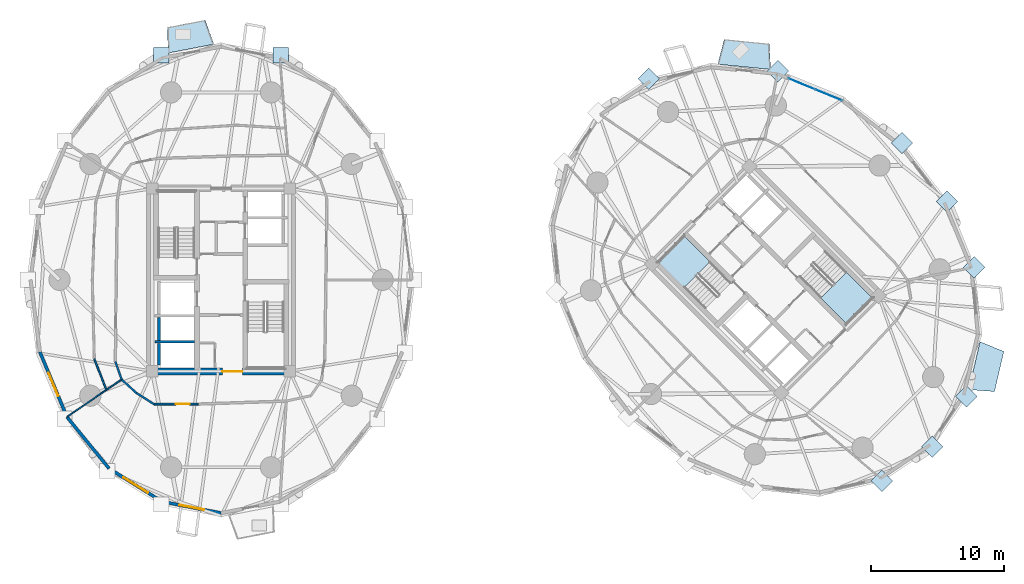
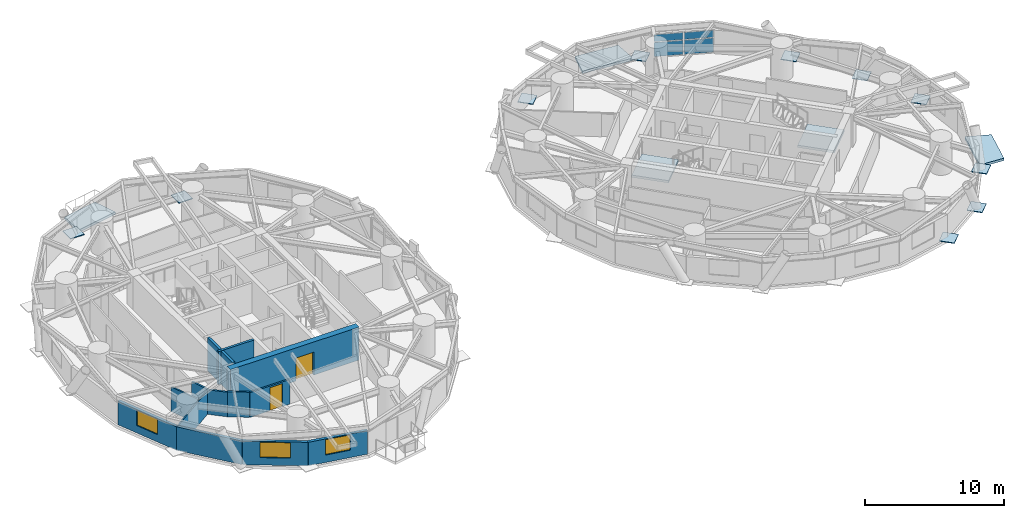
# One storey, part 9 of 18: 14 plates, 14 walls, 5 slabs, 3 windows, 2 doors, 5 openings, 3 elements without a shape of their own.
"""IFC4 building model written with IfcOpenShell, lengths in metres."""

import ifcopenshell
import ifcopenshell.guid

model = None  # the IFC model being written
_history = None  # IfcOwnerHistory: only IFC2X3 demands one
_inside = {}  # id of a spatial element -> (the spatial element, [elements in it])
_under = {}  # id of a project, library or spatial element -> (it, [spatial elements below it])
_declared = {}  # id of a project -> (the project, [libraries it declares])
_typed = {}  # id of a type object -> (the type object, [elements of that type])
_made_of = {}  # id of a material, layer set ... -> (it, [elements and type objects made of it])


def new_model(schema):
    """Start an empty IFC model of exactly this schema.

    Asked for "IFC4X3", IfcOpenShell would pick the latest addendum, in which some entities
    have other attributes; the version numbers below select the first issue.
    IFC2X3 requires an IfcOwnerHistory on every rooted entity: one is made here for all.
    """
    global model, _history
    if schema == "IFC4X3":
        model = ifcopenshell.file(schema_version=(4, 3, 0, 0))
    else:
        model = ifcopenshell.file(schema=schema)
    _inside.clear()
    _under.clear()
    _declared.clear()
    _typed.clear()
    _made_of.clear()
    _history = None
    if model.schema == "IFC2X3":
        org = make("IfcOrganization", Name="unknown")
        user = make(
            "IfcPersonAndOrganization",
            ThePerson=make("IfcPerson", FamilyName="unknown"),
            TheOrganization=org,
        )
        app = make(
            "IfcApplication",
            ApplicationDeveloper=org,
            Version="unknown",
            ApplicationFullName="unknown",
            ApplicationIdentifier="unknown",
        )
        _history = make(
            "IfcOwnerHistory",
            OwningUser=user,
            OwningApplication=app,
            ChangeAction="ADDED",
            CreationDate=0,
        )
    return model


def make(cls, **values):
    """One entity of the class cls with the attributes given. An attribute that is None is left unset."""
    return model.create_entity(
        cls, **{name: value for name, value in values.items() if value is not None}
    )


def rooted(cls, **values):
    """An entity with a GlobalId (a new one), such as an element, a storey or a relation."""
    return make(cls, GlobalId=ifcopenshell.guid.new(), OwnerHistory=_history, **values)


def si_unit(unit_type, name, prefix=None):
    """IfcSIUnit, for example si_unit("LENGTHUNIT", "METRE", prefix="MILLI")."""
    return make("IfcSIUnit", UnitType=unit_type, Prefix=prefix, Name=name)


def assignment(units):
    """IfcUnitAssignment: the units of a project."""
    return None if units is None else make("IfcUnitAssignment", Units=units)


def point(xyz):
    """IfcCartesianPoint."""
    return None if xyz is None else make("IfcCartesianPoint", Coordinates=xyz)


def direction(xyz):
    """IfcDirection."""
    return None if xyz is None else make("IfcDirection", DirectionRatios=xyz)


def frame(location, z_axis=None, x_axis=None):
    """IfcAxis2Placement3D, a coordinate frame: its origin and axes. An axis left out is left unset."""
    return make(
        "IfcAxis2Placement3D",
        Location=point(location),
        Axis=direction(z_axis),
        RefDirection=direction(x_axis),
    )


def frame_2d(location, x_axis=None):
    """IfcAxis2Placement2D, a coordinate frame in the plane: its origin and x axis."""
    return make(
        "IfcAxis2Placement2D", Location=point(location), RefDirection=direction(x_axis)
    )


def origin():
    """The frame at (0, 0, 0) with its axes left unset."""
    return frame((0.0, 0.0, 0.0))


def origin_2d():
    """The frame at (0, 0) in the plane with its x axis left unset."""
    return frame_2d((0.0, 0.0))


def place(relative_to, where):
    """IfcLocalPlacement: puts the frame where relative to a parent placement (None: the world)."""
    return make(
        "IfcLocalPlacement", PlacementRelTo=relative_to, RelativePlacement=where
    )


def context(
    kind, dimensions, precision=None, world=None, true_north=None, identifier=None
):
    """IfcGeometricRepresentationContext, for example the 3D "Model" context."""
    return make(
        "IfcGeometricRepresentationContext",
        ContextIdentifier=identifier,
        ContextType=kind,
        CoordinateSpaceDimension=dimensions,
        Precision=precision,
        WorldCoordinateSystem=world,
        TrueNorth=true_north,
    )


def subcontext(parent, identifier, kind, view, scale=None):
    """IfcGeometricRepresentationSubContext, for example "Body" below "Model"."""
    return make(
        "IfcGeometricRepresentationSubContext",
        ContextIdentifier=identifier,
        ContextType=kind,
        ParentContext=parent,
        TargetScale=scale,
        TargetView=view,
    )


def project(units=None, contexts=None):
    """IfcProject with its units and contexts."""
    return rooted(
        "IfcProject",
        Name="project",
        RepresentationContexts=contexts,
        UnitsInContext=assignment(units),
    )


def spatial(cls, under=None, at=None, **own):
    """A site, building, storey or space (cls), placed at a placement, below another one or the project."""
    s = rooted(cls, ObjectPlacement=at, **own)
    if under is not None:
        _under.setdefault(under.id(), (under, []))[1].append(s)
    return s


def polyline(points):
    """IfcPolyline through the points."""
    return make("IfcPolyline", Points=[point(p) for p in points])


def profile(cls, at=None, kind="AREA", **sizes):
    """A parametric profile (cls). Its sizes go by their IFC names, for example OverallWidth=200.0."""
    return make(cls, ProfileType=kind, Position=at, **sizes)


def rectangle(**sizes):
    """IfcRectangleProfileDef."""
    return profile("IfcRectangleProfileDef", **sizes)


def outline(outer, holes=None, kind="AREA"):
    """IfcArbitraryClosedProfileDef: a profile drawn as a closed curve; with holes, ...WithVoids."""
    if holes is None:
        return make("IfcArbitraryClosedProfileDef", ProfileType=kind, OuterCurve=outer)
    return make(
        "IfcArbitraryProfileDefWithVoids",
        ProfileType=kind,
        OuterCurve=outer,
        InnerCurves=holes,
    )


def extrude(swept, where, along, depth):
    """IfcExtrudedAreaSolid: the profile swept, set in the frame where, extruded along a direction by depth."""
    return make(
        "IfcExtrudedAreaSolid",
        SweptArea=swept,
        Position=where,
        ExtrudedDirection=direction(along),
        Depth=depth,
    )


def shape(context_of_items, identifier, shape_type, items):
    """IfcShapeRepresentation: the items that make up one representation, for example the "Body"."""
    return make(
        "IfcShapeRepresentation",
        ContextOfItems=context_of_items,
        RepresentationIdentifier=identifier,
        RepresentationType=shape_type,
        Items=items,
    )


def source(mapping_origin, context_of_items, identifier, shape_type, items):
    """IfcRepresentationMap: a shape defined once, which mapped items show again and again."""
    return make(
        "IfcRepresentationMap",
        MappingOrigin=mapping_origin,
        MappedRepresentation=shape(context_of_items, identifier, shape_type, items),
    )


def transform(
    local_origin,
    x_axis=None,
    y_axis=None,
    z_axis=None,
    scale=None,
    scale2=None,
    scale3=None,
    uniform=True,
):
    """IfcCartesianTransformationOperator3D, or its non-uniform kind. x_axis, y_axis, z_axis: its Axis1, 2, 3."""
    if uniform:
        return make(
            "IfcCartesianTransformationOperator3D",
            Axis1=direction(x_axis),
            Axis2=direction(y_axis),
            LocalOrigin=point(local_origin),
            Scale=scale,
            Axis3=direction(z_axis),
        )
    return make(
        "IfcCartesianTransformationOperator3DnonUniform",
        Axis1=direction(x_axis),
        Axis2=direction(y_axis),
        LocalOrigin=point(local_origin),
        Scale=scale,
        Axis3=direction(z_axis),
        Scale2=scale2,
        Scale3=scale3,
    )


def mapped(mapping_source, mapping_target):
    """IfcMappedItem: shows the shape of a source again, moved by a transform."""
    return make(
        "IfcMappedItem", MappingSource=mapping_source, MappingTarget=mapping_target
    )


def material(Name=None, Category=None):
    """IfcMaterial."""
    return make("IfcMaterial", Name=Name, Category=Category)


def layer(
    of_material, thickness, ventilated=None, Name=None, Category=None, Priority=None
):
    """IfcMaterialLayer: one layer of a wall or slab, of a material (None: an air gap)."""
    return make(
        "IfcMaterialLayer",
        Material=of_material,
        LayerThickness=thickness,
        IsVentilated=ventilated,
        Name=Name,
        Category=Category,
        Priority=Priority,
    )


def layer_set(layers, Name=None):
    """IfcMaterialLayerSet."""
    return make("IfcMaterialLayerSet", MaterialLayers=layers, LayerSetName=Name)


def made_of(thing, what):
    """Note that an element or type object is made of a material, layer set ...; save() writes the relation."""
    if what is not None:
        _made_of.setdefault(what.id(), (what, []))[1].append(thing)
    return thing


def type_object(cls, material=None, **own):
    """A type object (cls), such as IfcWallType, which elements share."""
    return made_of(rooted(cls, **own), material)


def element(
    cls,
    number,
    at=None,
    inside=None,
    cuts=None,
    type_object=None,
    material=None,
    context=None,
    identifier="Body",
    shape_type=None,
    held_by="IfcProductDefinitionShape",
    body=None,
    shapes=None,
    **own,
):
    """One element of the class cls, such as IfcWall. Its Tag is "e" and its number.

    at: its placement. inside: the storey or other place that contains it. cuts: it is an
    opening in that element (IfcRelVoidsElement). A single representation is given by context,
    identifier, shape_type and body (its items); several are given by shapes. held_by: the class
    of the entity that holds the representations. save() writes the other relations.
    """
    e = rooted(cls, Tag="e%d" % number, ObjectPlacement=at, **own)
    if body is not None:
        shapes = [shape(context, identifier, shape_type, body)]
    if shapes is not None:
        e.Representation = make(held_by, Representations=shapes)
    if inside is not None:
        _inside.setdefault(inside.id(), (inside, []))[1].append(e)
    if cuts is not None:
        rooted(
            "IfcRelVoidsElement", RelatingBuildingElement=cuts, RelatedOpeningElement=e
        )
    if type_object is not None:
        _typed.setdefault(type_object.id(), (type_object, []))[1].append(e)
    return made_of(e, material)


def fill(opening, filler):
    """IfcRelFillsElement: the door or window that sits in an opening."""
    return rooted(
        "IfcRelFillsElement",
        RelatingOpeningElement=opening,
        RelatedBuildingElement=filler,
    )


def aggregate(whole, parts):
    """IfcRelAggregates: a whole, such as a stair, and the parts it consists of."""
    return rooted("IfcRelAggregates", RelatingObject=whole, RelatedObjects=parts)


def save(model, path):
    """Write the relations noted so far, then the file.

    IfcRelAggregates (storeys below a building ...), IfcRelContainedInSpatialStructure (elements
    in a storey), IfcRelDefinesByType, IfcRelAssociatesMaterial and IfcRelDeclares: one each for
    every whole, place, type object, material and project.
    """
    for whole, parts in _under.values():
        aggregate(whole, parts)
    for where, things in _inside.values():
        rooted(
            "IfcRelContainedInSpatialStructure",
            RelatedElements=things,
            RelatingStructure=where,
        )
    for kind, things in _typed.values():
        rooted("IfcRelDefinesByType", RelatedObjects=things, RelatingType=kind)
    for what, things in _made_of.values():
        rooted("IfcRelAssociatesMaterial", RelatedObjects=things, RelatingMaterial=what)
    for by, libraries in _declared.values():
        rooted("IfcRelDeclares", RelatingContext=by, RelatedDefinitions=libraries)
    model.write(path)


model = new_model("IFC4")

# Units and contexts
model_context = context("Model", 3, precision=1e-05, world=origin(), true_north=direction((0.0, 1.0)))
body_context = subcontext(model_context, "Body", "Model", "MODEL_VIEW")
ifc_project = project(units=[si_unit("LENGTHUNIT", "METRE"), si_unit("AREAUNIT", "SQUARE_METRE"), si_unit("VOLUMEUNIT", "CUBIC_METRE"), si_unit("PLANEANGLEUNIT", "RADIAN"), si_unit("MASSUNIT", "GRAM", prefix="KILO")], contexts=[model_context])

# Site, building, storey
site_placement = place(None, origin())
site = spatial("IfcSite", under=ifc_project, at=site_placement, CompositionType="ELEMENT")
building_placement = place(site_placement, origin())
building = spatial("IfcBuilding", under=site, at=building_placement, Name="Cununo Teusaquillo Station Towers", CompositionType="ELEMENT")
storey_placement = place(building_placement, frame((0.0, 0.0, 22.0)))
storey = spatial("IfcBuildingStorey", under=building, at=storey_placement, Name="L05", CompositionType="ELEMENT", Elevation=22.0)

# Slabs
ifc_material_1 = material(Name="Concrete C50/60", Category="concrete")
ifc_layer_1 = layer(ifc_material_1, 0.2099609375)
ifc_layer_set_1 = layer_set([ifc_layer_1], Name="Concrete C50/60")
slab_type_1 = type_object("IfcSlabType", Name="SLB-BAL-210", PredefinedType="FLOOR", material=ifc_layer_set_1)
slab_1_placement = place(storey_placement, frame((0.0, 0.0, -0.2099609375)))
element("IfcSlab", 1, at=slab_1_placement, inside=storey, type_object=slab_type_1, Name="L05 Tower A Tree Balcony Slab 1", PredefinedType="FLOOR", context=body_context, shape_type="SweptSolid", body=[
    extrude(outline(polyline([(15.958984375, 42.25048828125), (12.517822265625, 41.585693359375), (12.44921875, 43.522705078125), (15.30126953125, 44.073974609375), (15.958984375, 42.25048828125)])), origin(), (0.0, 0.0, 1.0), 0.2099609375),
])
slab_2_placement = place(storey_placement, frame((0.0, 0.0, -0.2099609375)))
element("IfcSlab", 2, at=slab_2_placement, inside=storey, type_object=slab_type_1, Name="L05 Tower B Tree Balcony Slab 1", PredefinedType="FLOOR", context=body_context, shape_type="SweptSolid", body=[
    extrude(outline(polyline([(57.904052734375, 40.347900390625), (53.91748046875, 40.7431640625), (54.40478515625, 42.619140625), (57.79443359375, 42.283203125), (57.904052734375, 40.347900390625)])), origin(), (0.0, 0.0, 1.0), 0.2099609375),
])
slab_3_placement = place(storey_placement, frame((0.0, 0.0, -0.2099609375)))
element("IfcSlab", 3, at=slab_3_placement, inside=storey, type_object=slab_type_1, Name="L05 Tower B Tree Balcony Slab 2", PredefinedType="FLOOR", context=body_context, shape_type="SweptSolid", body=[
    extrude(outline(polyline([(72.830810546875, 16.227294921875), (73.67236328125, 19.8330078125), (75.468994140625, 19.105712890625), (74.763916015625, 16.084228515625), (72.830810546875, 16.227294921875)])), origin(), (0.0, 0.0, 1.0), 0.2099609375),
])

# Stair, slab
ifc_material_2 = material(Name="Concrete C50/60", Category="concrete")
stair_type = type_object("IfcStairType", Name="ST-TWR-1300", PredefinedType="HALF_TURN_STAIR", material=ifc_material_2)
stair_1_placement = place(storey_placement, origin())
stair_1 = element("IfcStair", 4, at=stair_1_placement, inside=storey, type_object=stair_type, Name="L05 Tower B Protected Core Exit Stair 1", PredefinedType="HALF_TURN_STAIR")
ifc_material_3 = material(Name="Concrete C50/60", Category="concrete")
ifc_layer_2 = layer(ifc_material_3, 0.199951171875)
ifc_layer_set_2 = layer_set([ifc_layer_2], Name="Concrete C50/60")
slab_type_2 = type_object("IfcSlabType", Name="SLB-STAIR-LND", PredefinedType="LANDING", material=ifc_layer_set_2)
slab_4_placement = place(storey_placement, frame((0.0, 0.0, 1.2548828125)))
slab_4 = element("IfcSlab", 5, at=slab_4_placement, type_object=slab_type_2, Name="ST-T2-1 landing 1", PredefinedType="LANDING", context=body_context, shape_type="SweptSolid", body=[
    extrude(outline(polyline([(53.335205078125, 25.86474609375), (51.390625, 27.809326171875), (49.43896484375, 25.857666015625), (51.383544921875, 23.9130859375), (53.335205078125, 25.86474609375)])), origin(), (0.0, 0.0, 1.0), 0.2001953125),
])
aggregate(stair_1, [slab_4])

stair_2_placement = place(storey_placement, origin())
stair_2 = element("IfcStair", 6, at=stair_2_placement, inside=storey, type_object=stair_type, Name="L05 Tower B Protected Core Exit Stair 2", PredefinedType="HALF_TURN_STAIR")
slab_5_placement = place(storey_placement, frame((0.0, 0.0, 1.2548828125)))
slab_5 = element("IfcSlab", 7, at=slab_5_placement, type_object=slab_type_2, Name="ST-T2-2 landing 1", PredefinedType="LANDING", context=body_context, shape_type="SweptSolid", body=[
    extrude(outline(polyline([(61.664794921875, 23.13525390625), (63.609375, 21.190673828125), (65.56103515625, 23.142333984375), (63.616455078125, 25.0869140625), (61.664794921875, 23.13525390625)])), origin(), (0.0, 0.0, 1.0), 0.2001953125),
])
aggregate(stair_2, [slab_5])

# Plates
ifc_material_4 = material(Name="Steel ASTM A572 Grade 50", Category="steel")
ifc_layer_3 = layer(ifc_material_4, 0.06005859375)
ifc_layer_set_3 = layer_set([ifc_layer_3], Name="Steel ASTM A572 Grade 50")
plate_type_1 = type_object("IfcPlateType", Name="PLT-NODE-BDN1", PredefinedType="USERDEFINED", material=ifc_layer_set_3)
shared_shape_1 = source(origin(), body_context, "Body", "SweptSolid", [
    extrude(rectangle(XDim=1.14990234375, YDim=1.14990234375, at=origin_2d()), origin(), (0.0, 0.0, 1.0), 0.06005859375),
])
for number, where, z_axis, x_axis, name in (
    (8, (21.002685546875, 41.419189453125, 0.02001953125), (0.0, 0.0, 1.0), (1.0, 0.0, 0.0), "L05 Tower A Diagrid Base Shoe Node BDN1 V04"),
    (9, (11.997314453125, 41.419189453125, 0.02001953125), (0.0, 0.0, 1.0), (1.0, 0.0, 0.0), "L05 Tower A Diagrid Base Shoe Node BDN1 V06"),
    (10, (67.80322265625, 34.80322265625, 0.02001953125), (0.0, 0.0, 1.0), (0.707106781187, 0.707106781187, 0.0), "L05 Tower B Diagrid Base Shoe Node BDN1 V00"),
    (11, (58.44140625, 40.2294921875, 0.02001953125), (0.0, 0.0, 1.0), (0.707106781187, 0.707106781187, 0.0), "L05 Tower B Diagrid Base Shoe Node BDN1 V02"),
    (12, (48.72021484375, 39.647705078125, 0.02001953125), (0.0, 0.0, 1.0), (0.707106781187, 0.707106781187, 0.0), "L05 Tower B Diagrid Base Shoe Node BDN1 V04"),
    (13, (66.27978515625, 9.352294921875, 0.02001953125), (0.0, 0.0, 1.0), (0.707106781187, 0.707106781187, 0.0), "L05 Tower B Diagrid Base Shoe Node BDN1 V14"),
    (14, (72.647705078125, 15.72021484375, 0.02001953125), (0.0, 0.0, 1.0), (0.707106781187, 0.707106781187, 0.0), "L05 Tower B Diagrid Base Shoe Node BDN1 V16"),
    (15, (73.2294921875, 25.44140625, 0.02001953125), (0.0, 0.0, 1.0), (0.707106781187, 0.707106781187, 0.0), "L05 Tower B Diagrid Base Shoe Node BDN1 V18"),
    (16, (70.079345703125, 11.920654296875, -0.169921875), (0.0, 0.0, 1.0), (0.707106781187, 0.707106781187, 0.0), "L05 Tower B Diagrid Foot Base Plate C14"),
    (17, (71.186279296875, 30.41162109375, -0.169921875), (0.0, 0.0, 1.0), (0.707106781187, 0.707106781187, 0.0), "L05 Tower B Diagrid Foot Base Plate C18"),
):
    element("IfcPlate", number, at=place(storey_placement, frame(where, z_axis=z_axis, x_axis=x_axis)), inside=storey, type_object=plate_type_1, Name=name, ObjectType="BASE PLATE", PredefinedType="USERDEFINED", context=body_context, shape_type="MappedRepresentation", body=[
        mapped(shared_shape_1, transform((0.0, 0.0, 0.0), x_axis=(1.0, 0.0, 0.0), y_axis=(0.0, 1.0, 0.0), z_axis=(0.0, 0.0, 1.0), scale=1.0)),
    ])

# Curtain wall, plates
ifc_material_5 = material(Name="Ceramic-fritted dark low-E double glazing", Category="glass")
ifc_layer_4 = layer(ifc_material_5, 0.179931640625)
ifc_layer_set_4 = layer_set([ifc_layer_4], Name="Ceramic-fritted dark low-E double glazing")
curtain_wall_type = type_object("IfcCurtainWallType", Name="CW-SYS-02", PredefinedType="USERDEFINED", material=ifc_layer_set_4)
curtain_wall_placement = place(storey_placement, origin())
curtain_wall = element("IfcCurtainWall", 18, at=curtain_wall_placement, inside=storey, type_object=curtain_wall_type, Name="L05 Tower B Facade Curtain Wall C01", ObjectType="FRITTED GLAZING", PredefinedType="USERDEFINED")
ifc_material_6 = material(Name="Ceramic-fritted dark low-E double glazing", Category="glass")
ifc_layer_5 = layer(ifc_material_6, 0.028076171875)
ifc_layer_set_5 = layer_set([ifc_layer_5], Name="Ceramic-fritted dark low-E double glazing")
plate_type_2 = type_object("IfcPlateType", Name="CWP-FRIT-28", PredefinedType="CURTAIN_PANEL", material=ifc_layer_set_5)
shared_shape_2 = source(origin(), body_context, "Body", "SweptSolid", [
    extrude(rectangle(XDim=2.12255859375, YDim=0.028076171875, at=origin_2d()), origin(), (0.0, 0.0, 1.0), 1.241943359375),
])
plate_1_placement = place(storey_placement, frame((60.23876953125, 39.257080078125, 0.06982421875), z_axis=(0.0, 0.0, 1.0), x_axis=(0.924524624623, -0.38112231431, 0.0)))
plate_1 = element("IfcPlate", 19, at=plate_1_placement, type_object=plate_type_2, Name="CW-02 panel 1.1", PredefinedType="CURTAIN_PANEL", context=body_context, shape_type="MappedRepresentation", body=[
    mapped(shared_shape_2, transform((0.0, 0.0, 0.0), x_axis=(1.0, 0.0, 0.0), y_axis=(0.0, 1.0, 0.0), z_axis=(0.0, 0.0, 1.0), scale=1.0)),
])
plate_2_placement = place(storey_placement, frame((62.265869140625, 38.42138671875, 0.06982421875), z_axis=(0.0, 0.0, 1.0), x_axis=(0.924524624623, -0.38112231431, 0.0)))
plate_2 = element("IfcPlate", 20, at=plate_2_placement, type_object=plate_type_2, Name="CW-02 panel 2.1", PredefinedType="CURTAIN_PANEL", context=body_context, shape_type="MappedRepresentation", body=[
    mapped(shared_shape_2, transform((0.0, 0.0, 0.0), x_axis=(1.0, 0.0, 0.0), y_axis=(0.0, 1.0, 0.0), z_axis=(0.0, 0.0, 1.0), scale=1.0)),
])
shared_shape_3 = source(origin(), body_context, "Body", "SweptSolid", [
    extrude(rectangle(XDim=2.12255859375, YDim=0.028076171875, at=origin_2d()), origin(), (0.0, 0.0, 1.0), 0.62109375),
])
plate_3_placement = place(storey_placement, frame((60.23876953125, 39.257080078125, 1.3818359375), z_axis=(0.0, 0.0, 1.0), x_axis=(0.924524624623, -0.38112231431, 0.0)))
plate_3 = element("IfcPlate", 21, at=plate_3_placement, type_object=plate_type_2, Name="CW-02 panel 1.2", PredefinedType="CURTAIN_PANEL", context=body_context, shape_type="MappedRepresentation", body=[
    mapped(shared_shape_3, transform((0.0, 0.0, 0.0), x_axis=(1.0, 0.0, 0.0), y_axis=(0.0, 1.0, 0.0), z_axis=(0.0, 0.0, 1.0), scale=1.0)),
])
plate_4_placement = place(storey_placement, frame((62.265869140625, 38.42138671875, 1.3818359375), z_axis=(0.0, 0.0, 1.0), x_axis=(0.924524624623, -0.38112231431, 0.0)))
plate_4 = element("IfcPlate", 22, at=plate_4_placement, type_object=plate_type_2, Name="CW-02 panel 2.2", PredefinedType="CURTAIN_PANEL", context=body_context, shape_type="MappedRepresentation", body=[
    mapped(shared_shape_3, transform((0.0, 0.0, 0.0), x_axis=(1.0, 0.0, 0.0), y_axis=(0.0, 1.0, 0.0), z_axis=(0.0, 0.0, 1.0), scale=1.0)),
])
aggregate(curtain_wall, [plate_1, plate_3, plate_2, plate_4])

# Walls
ifc_material_7 = material(Name="Concrete C50/60", Category="concrete")
ifc_layer_6 = layer(ifc_material_7, 0.199951171875)
ifc_layer_set_6 = layer_set([ifc_layer_6], Name="Concrete C50/60")
wall_type_1 = type_object("IfcWallType", Name="WL-CORE-200", PredefinedType="SHEAR", material=ifc_layer_set_6)
wall_1_placement = place(storey_placement, frame((11.52001953125, 19.824951171875, 0.0), z_axis=(0.0, 0.0, 1.0), x_axis=(1.0, 0.0, 0.0)))
element("IfcWall", 23, at=wall_1_placement, inside=storey, type_object=wall_type_1, Name="L05 Tower A High-Rise Lift Hoistway Divider Shear Wall", PredefinedType="SHEAR", context=body_context, shape_type="SweptSolid", body=[
    extrude(rectangle(XDim=2.969970703125, YDim=0.199951171875, at=frame_2d((1.48486328125, 0.0))), origin(), (0.0, 0.0, 1.0), 2.909912109375),
])
wall_2_placement = place(storey_placement, frame((11.820068359375, 19.945068359375, 0.0), z_axis=(0.0, 0.0, 1.0), x_axis=(0.0, 1.0, 0.0)))
element("IfcWall", 24, at=wall_2_placement, inside=storey, type_object=wall_type_1, Name="L05 Tower A High-Rise Lift 2 Shaft Rear Shear Wall", PredefinedType="SHEAR", context=body_context, shape_type="SweptSolid", body=[
    extrude(rectangle(XDim=1.73486328125, YDim=0.199951171875, at=frame_2d((0.867431640625, 0.0))), origin(), (0.0, 0.0, 1.0), 2.909912109375),
])
wall_3_placement = place(storey_placement, frame((11.820068359375, 18.070068359375, 0.0), z_axis=(0.0, 0.0, 1.0), x_axis=(0.0, 1.0, 0.0)))
element("IfcWall", 25, at=wall_3_placement, inside=storey, type_object=wall_type_1, Name="L05 Tower A High-Rise Lift 1 Shaft Rear Shear Wall", PredefinedType="SHEAR", context=body_context, shape_type="SweptSolid", body=[
    extrude(rectangle(XDim=1.635009765625, YDim=0.199951171875, at=frame_2d((0.8173828125, 0.0))), origin(), (0.0, 0.0, 1.0), 2.909912109375),
])

# Wall, opening, door
ifc_material_8 = material(Name="Concrete C60/75", Category="concrete")
ifc_layer_7 = layer(ifc_material_8, 0.5)
ifc_layer_set_7 = layer_set([ifc_layer_7], Name="Concrete C60/75")
wall_type_2 = type_object("IfcWallType", Name="WL-CORE-500", PredefinedType="SHEAR", material=ifc_layer_set_7)
wall_4_placement = place(storey_placement, frame((11.14990234375, 17.60009765625, 0.0), z_axis=(0.0, 0.0, 1.0), x_axis=(1.0, 0.0, 0.0)))
wall_4 = element("IfcWall", 26, at=wall_4_placement, inside=storey, type_object=wall_type_2, Name="L05 Tower A Core Shear Wall S", PredefinedType="SHEAR", context=body_context, shape_type="SweptSolid", body=[
    extrude(rectangle(XDim=10.7001953125, YDim=0.5, at=frame_2d((5.35009765625, 0.0))), origin(), (0.0, 0.0, 1.0), 2.909912109375),
])
shared_shape_4 = source(origin(), body_context, "Body", "SweptSolid", [
    extrude(rectangle(XDim=1.5, YDim=2.02001953125, at=frame_2d((0.75, 1.010009765625))), frame((0.0, 0.260009765625, 0.0), z_axis=(0.0, -1.0, 0.0), x_axis=(1.0, 0.0, 0.0)), (0.0, 0.0, 1.0), 0.52001953125),
])
opening_1_placement = place(wall_4_placement, frame((5.449951171875, 0.0, 0.0)))
opening_1 = element("IfcOpeningElement", 27, at=opening_1_placement, cuts=wall_4, Name="Opening D-LB1", PredefinedType="OPENING", context=body_context, shape_type="MappedRepresentation", body=[
    mapped(shared_shape_4, transform((0.0, 0.0, 0.0), x_axis=(1.0, 0.0, 0.0), y_axis=(0.0, 1.0, 0.0), z_axis=(0.0, 0.0, 1.0), scale=1.0)),
])
ifc_material_9 = material(Name="Galvanised fire-rated hollow steel door assembly", Category="steel")
door_type_1 = type_object("IfcDoorType", Name="DR-LOBBY-1500", OperationType="DOUBLE_DOOR_SINGLE_SWING", PredefinedType="DOOR", material=ifc_material_9)
shared_shape_5 = source(origin(), body_context, "Body", "SweptSolid", [
    extrude(rectangle(XDim=1.5, YDim=2.02001953125, at=frame_2d((0.75, 1.010009765625))), frame((0.0, 0.02490234375, 0.0), z_axis=(0.0, -1.0, 0.0), x_axis=(1.0, 0.0, 0.0)), (0.0, 0.0, 1.0), 0.050048828125),
])
door_1_placement = place(opening_1_placement, origin())
door_1 = element("IfcDoor", 28, at=door_1_placement, inside=storey, type_object=door_type_1, Name="L05 Tower A South Core Lift Lobby Door", OperationType="DOUBLE_DOOR_SINGLE_SWING", OverallHeight=2.02001953125, OverallWidth=1.5, PredefinedType="DOOR", context=body_context, shape_type="MappedRepresentation", body=[
    mapped(shared_shape_5, transform((0.0, 0.0, 0.0), x_axis=(1.0, 0.0, 0.0), y_axis=(0.0, 1.0, 0.0), z_axis=(0.0, 0.0, 1.0), scale=1.0)),
])
fill(opening_1, door_1)

# Wall, opening, window
ifc_material_10 = material(Name="Precast concrete C40/50", Category="concrete")
ifc_layer_8 = layer(ifc_material_10, 0.239990234375)
ifc_layer_set_8 = layer_set([ifc_layer_8], Name="Precast concrete C40/50")
wall_type_3 = type_object("IfcWallType", Name="WL-EXT-240", PredefinedType="SOLIDWALL", material=ifc_layer_set_8)
wall_5_placement = place(storey_placement, frame((4.889892578125, 14.172607421875, 0.0), z_axis=(0.0, 0.0, 1.0), x_axis=(-0.384255919668, 0.923226618009, 0.0)))
wall_5 = element("IfcWall", 29, at=wall_5_placement, inside=storey, type_object=wall_type_3, Name="L05 Tower A Exterior Facade Wall C11", PredefinedType="SOLIDWALL", context=body_context, shape_type="SweptSolid", body=[
    extrude(rectangle(XDim=5.30517578125, YDim=0.239990234375, at=frame_2d((2.652587890625, 0.0))), origin(), (0.0, 0.0, 1.0), 2.072998046875),
])
shared_shape_6 = source(origin(), body_context, "Body", "SweptSolid", [
    extrude(rectangle(XDim=1.89990234375, YDim=1.35009765625, at=frame_2d((0.949951171875, 0.675048828125))), frame((0.0, 0.1298828125, 0.0), z_axis=(0.0, -1.0, 0.0), x_axis=(1.0, 0.0, 0.0)), (0.0, 0.0, 1.0), 0.260009765625),
])
opening_2_placement = place(wall_5_placement, frame((1.702880859375, 0.0, 0.64990234375)))
opening_2 = element("IfcOpeningElement", 30, at=opening_2_placement, cuts=wall_5, Name="Opening WN-02", PredefinedType="OPENING", context=body_context, shape_type="MappedRepresentation", body=[
    mapped(shared_shape_6, transform((0.0, 0.0, 0.0), x_axis=(1.0, 0.0, 0.0), y_axis=(0.0, 1.0, 0.0), z_axis=(0.0, 0.0, 1.0), scale=1.0)),
])
ifc_material_11 = material(Name="Operable acoustic tinted low-E double glazing", Category="glass")
window_type_1 = type_object("IfcWindowType", Name="WIN-OPER-1900", PartitioningType="DOUBLE_PANEL_VERTICAL", PredefinedType="WINDOW", material=ifc_material_11)
shared_shape_7 = source(origin(), body_context, "Body", "SweptSolid", [
    extrude(rectangle(XDim=1.89990234375, YDim=1.35009765625, at=frame_2d((0.949951171875, 0.675048828125))), frame((0.0, 0.030029296875, 0.0), z_axis=(0.0, -1.0, 0.0), x_axis=(1.0, 0.0, 0.0)), (0.0, 0.0, 1.0), 0.06005859375),
])
window_1_placement = place(opening_2_placement, origin())
window_1 = element("IfcWindow", 31, at=window_1_placement, inside=storey, type_object=window_type_1, Name="L05 Tower A Facade Window C11", OverallHeight=1.35009765625, OverallWidth=1.89990234375, PartitioningType="DOUBLE_PANEL_VERTICAL", PredefinedType="WINDOW", context=body_context, shape_type="MappedRepresentation", body=[
    mapped(shared_shape_7, transform((0.0, 0.0, 0.0), x_axis=(1.0, 0.0, 0.0), y_axis=(0.0, 1.0, 0.0), z_axis=(0.0, 0.0, 1.0), scale=1.0)),
])
fill(opening_2, window_1)

# Wall
wall_6_placement = place(storey_placement, frame((8.064697265625, 10.28564453125, 0.0), z_axis=(0.0, 0.0, 1.0), x_axis=(-0.632588557044, 0.774488035735, 0.0)))
element("IfcWall", 32, at=wall_6_placement, inside=storey, type_object=wall_type_3, Name="L05 Tower A Exterior Facade Wall C12", PredefinedType="SOLIDWALL", context=body_context, shape_type="SweptSolid", body=[
    extrude(rectangle(XDim=5.018798828125, YDim=0.239990234375, at=frame_2d((2.50927734375, 0.0))), origin(), (0.0, 0.0, 1.0), 2.072998046875),
])

# Wall, opening, window
wall_7_placement = place(storey_placement, frame((12.065185546875, 7.789794921875, 0.0), z_axis=(0.0, 0.0, 1.0), x_axis=(-0.848422721916, 0.529319265601, 0.0)))
wall_7 = element("IfcWall", 33, at=wall_7_placement, inside=storey, type_object=wall_type_3, Name="L05 Tower A Exterior Facade Wall C13", PredefinedType="SOLIDWALL", context=body_context, shape_type="SweptSolid", body=[
    extrude(rectangle(XDim=4.715087890625, YDim=0.239990234375, at=frame_2d((2.357421875, 0.0))), origin(), (0.0, 0.0, 1.0), 2.072998046875),
])
shared_shape_8 = source(origin(), body_context, "Body", "SweptSolid", [
    extrude(rectangle(XDim=2.199951171875, YDim=1.35009765625, at=frame_2d((1.10009765625, 0.675048828125))), frame((0.0, 0.1298828125, 0.0), z_axis=(0.0, -1.0, 0.0), x_axis=(1.0, 0.0, 0.0)), (0.0, 0.0, 1.0), 0.260009765625),
])
opening_3_placement = place(wall_7_placement, frame((1.258056640625, 0.0, 0.64990234375)))
opening_3 = element("IfcOpeningElement", 34, at=opening_3_placement, cuts=wall_7, Name="Opening WN-01", PredefinedType="OPENING", context=body_context, shape_type="MappedRepresentation", body=[
    mapped(shared_shape_8, transform((0.0, 0.0, 0.0), x_axis=(1.0, 0.0, 0.0), y_axis=(0.0, 1.0, 0.0), z_axis=(0.0, 0.0, 1.0), scale=1.0)),
])
ifc_material_12 = material(Name="Ceramic-fritted dark low-E double glazing", Category="glass")
window_type_2 = type_object("IfcWindowType", Name="WIN-FRIT-2200", PartitioningType="DOUBLE_PANEL_VERTICAL", PredefinedType="WINDOW", material=ifc_material_12)
shared_shape_9 = source(origin(), body_context, "Body", "SweptSolid", [
    extrude(rectangle(XDim=2.199951171875, YDim=1.35009765625, at=frame_2d((1.10009765625, 0.675048828125))), frame((0.0, 0.030029296875, 0.0), z_axis=(0.0, -1.0, 0.0), x_axis=(1.0, 0.0, 0.0)), (0.0, 0.0, 1.0), 0.06005859375),
])
window_2_placement = place(opening_3_placement, origin())
window_2 = element("IfcWindow", 35, at=window_2_placement, inside=storey, type_object=window_type_2, Name="L05 Tower A Facade Window C13", OverallHeight=1.35009765625, OverallWidth=2.199951171875, PartitioningType="DOUBLE_PANEL_VERTICAL", PredefinedType="WINDOW", context=body_context, shape_type="MappedRepresentation", body=[
    mapped(shared_shape_9, transform((0.0, 0.0, 0.0), x_axis=(1.0, 0.0, 0.0), y_axis=(0.0, 1.0, 0.0), z_axis=(0.0, 0.0, 1.0), scale=1.0)),
])
fill(opening_3, window_2)

wall_8_placement = place(storey_placement, frame((16.5, 6.929931640625, 0.0), z_axis=(0.0, 0.0, 1.0), x_axis=(-0.981717351035, 0.190344536766, 0.0)))
wall_8 = element("IfcWall", 36, at=wall_8_placement, inside=storey, type_object=wall_type_3, Name="L05 Tower A Exterior Facade Wall C14", PredefinedType="SOLIDWALL", context=body_context, shape_type="SweptSolid", body=[
    extrude(rectangle(XDim=4.517333984375, YDim=0.239990234375, at=frame_2d((2.2587890625, 0.0))), origin(), (0.0, 0.0, 1.0), 2.072998046875),
])
opening_4_placement = place(wall_8_placement, frame((1.30908203125, 0.0, 0.64990234375)))
opening_4 = element("IfcOpeningElement", 37, at=opening_4_placement, cuts=wall_8, Name="Opening WN-02", PredefinedType="OPENING", context=body_context, shape_type="MappedRepresentation", body=[
    mapped(shared_shape_6, transform((0.0, 0.0, 0.0), x_axis=(1.0, 0.0, 0.0), y_axis=(0.0, 1.0, 0.0), z_axis=(0.0, 0.0, 1.0), scale=1.0)),
])
window_3_placement = place(opening_4_placement, origin())
window_3 = element("IfcWindow", 38, at=window_3_placement, inside=storey, type_object=window_type_1, Name="L05 Tower A Facade Window C14", OverallHeight=1.35009765625, OverallWidth=1.89990234375, PartitioningType="DOUBLE_PANEL_VERTICAL", PredefinedType="WINDOW", context=body_context, shape_type="MappedRepresentation", body=[
    mapped(shared_shape_7, transform((0.0, 0.0, 0.0), x_axis=(1.0, 0.0, 0.0), y_axis=(0.0, 1.0, 0.0), z_axis=(0.0, 0.0, 1.0), scale=1.0)),
])
fill(opening_4, window_3)

# Walls
ifc_material_13 = material(Name="Fire-rated gypsum plasterboard partition assembly", Category="gypsum")
ifc_layer_9 = layer(ifc_material_13, 0.10009765625)
ifc_layer_set_9 = layer_set([ifc_layer_9], Name="Fire-rated gypsum plasterboard partition assembly")
wall_type_4 = type_object("IfcWallType", Name="WL-PART-100", PredefinedType="MOVABLE", material=ifc_layer_set_9)
wall_9_placement = place(storey_placement, frame((9.01025390625, 16.994384765625, 0.0), z_axis=(0.0, 0.0, 1.0), x_axis=(-0.825130244962, -0.564942544733, 0.0)))
element("IfcWall", 39, at=wall_9_placement, inside=storey, type_object=wall_type_4, Name="L05 Tower A Radial Suite Partition R04", PredefinedType="MOVABLE", context=body_context, shape_type="SweptSolid", body=[
    extrude(rectangle(XDim=4.97412109375, YDim=0.10009765625, at=frame_2d((2.487060546875, 0.0))), origin(), (0.0, 0.0, 1.0), 2.072998046875),
])
ifc_material_14 = material(Name="Fire-rated gypsum plasterboard partition assembly", Category="gypsum")
ifc_layer_10 = layer(ifc_material_14, 0.125)
ifc_layer_set_10 = layer_set([ifc_layer_10], Name="Fire-rated gypsum plasterboard partition assembly")
wall_type_5 = type_object("IfcWallType", Name="WL-PART-125", PredefinedType="PARTITIONING", material=ifc_layer_set_10)
wall_10_placement = place(storey_placement, frame((6.951416015625, 18.544921875, 0.0), z_axis=(0.0, 0.0, 1.0), x_axis=(0.362681113276, -0.931913306093, 0.0)))
element("IfcWall", 40, at=wall_10_placement, inside=storey, type_object=wall_type_5, Name="L05 Tower A Press & Broadcast Briefing Hall Concentric Partition Wall C11", PredefinedType="PARTITIONING", context=body_context, shape_type="SweptSolid", body=[
    extrude(rectangle(XDim=2.508056640625, YDim=0.125, at=frame_2d((1.25390625, 0.0))), origin(), (0.0, 0.0, 1.0), 2.158935546875),
])
ifc_material_15 = material(Name="Fire-rated gypsum plasterboard partition assembly", Category="gypsum")
ifc_layer_11 = layer(ifc_material_15, 0.14990234375)
ifc_layer_set_11 = layer_set([ifc_layer_11], Name="Fire-rated gypsum plasterboard partition assembly")
wall_type_6 = type_object("IfcWallType", Name="WL-PART-150", PredefinedType="PARTITIONING", material=ifc_layer_set_11)
wall_11_placement = place(storey_placement, frame((8.538330078125, 18.338134765625, 0.0), z_axis=(0.0, 0.0, 1.0), x_axis=(0.331358150167, -0.94350504838, 0.0)))
element("IfcWall", 41, at=wall_11_placement, inside=storey, type_object=wall_type_6, Name="L05 Tower A Corridor Ring Wall C11", PredefinedType="PARTITIONING", context=body_context, shape_type="SweptSolid", body=[
    extrude(rectangle(XDim=1.42431640625, YDim=0.14990234375, at=frame_2d((0.712158203125, 0.0))), origin(), (0.0, 0.0, 1.0), 2.205078125),
])
wall_12_placement = place(storey_placement, frame((9.01025390625, 16.994384765625, 0.0), z_axis=(0.0, 0.0, 1.0), x_axis=(0.737701798986, -0.67512669609, 0.0)))
element("IfcWall", 42, at=wall_12_placement, inside=storey, type_object=wall_type_6, Name="L05 Tower A Corridor Ring Wall C12", PredefinedType="PARTITIONING", context=body_context, shape_type="SweptSolid", body=[
    extrude(rectangle(XDim=1.498291015625, YDim=0.14990234375, at=frame_2d((0.7490234375, 0.0))), origin(), (0.0, 0.0, 1.0), 2.158935546875),
])
wall_13_placement = place(storey_placement, frame((10.115478515625, 15.98291015625, 0.0), z_axis=(0.0, 0.0, 1.0), x_axis=(0.843995849351, -0.536349705209, 0.0)))
element("IfcWall", 43, at=wall_13_placement, inside=storey, type_object=wall_type_6, Name="L05 Tower A Corridor Ring Wall C13", PredefinedType="PARTITIONING", context=body_context, shape_type="SweptSolid", body=[
    extrude(rectangle(XDim=1.5927734375, YDim=0.14990234375, at=frame_2d((0.79638671875, 0.0))), origin(), (0.0, 0.0, 1.0), 2.205078125),
])

# Wall, opening, door
wall_14_placement = place(storey_placement, frame((11.459716796875, 15.128662109375, 0.0), z_axis=(0.0, 0.0, 1.0), x_axis=(0.999993513287, 0.003601858435, 0.0)))
wall_14 = element("IfcWall", 44, at=wall_14_placement, inside=storey, type_object=wall_type_6, Name="L05 Tower A Corridor Ring Wall C14", PredefinedType="PARTITIONING", context=body_context, shape_type="SweptSolid", body=[
    extrude(rectangle(XDim=3.3212890625, YDim=0.14990234375, at=frame_2d((1.66064453125, 0.0))), origin(), (0.0, 0.0, 1.0), 2.158935546875),
])
shared_shape_10 = source(origin(), body_context, "Body", "SweptSolid", [
    extrude(rectangle(XDim=1.050048828125, YDim=2.014892578125, at=frame_2d((0.52490234375, 1.00732421875))), frame((0.0, 0.0849609375, 0.0), z_axis=(0.0, -1.0, 0.0), x_axis=(1.0, 0.0, 0.0)), (0.0, 0.0, 1.0), 0.169921875),
])
opening_5_placement = place(wall_14_placement, frame((1.643310546875, 0.0, 0.0)))
opening_5 = element("IfcOpeningElement", 45, at=opening_5_placement, cuts=wall_14, Name="Opening D-SU1", PredefinedType="OPENING", context=body_context, shape_type="MappedRepresentation", body=[
    mapped(shared_shape_10, transform((0.0, 0.0, 0.0), x_axis=(1.0, 0.0, 0.0), y_axis=(0.0, 1.0, 0.0), z_axis=(0.0, 0.0, 1.0), scale=1.0)),
])
ifc_material_16 = material(Name="Acoustic solid-core hardwood leaf assembly", Category="wood")
door_type_2 = type_object("IfcDoorType", Name="DR-SUITE-1050", OperationType="NOTDEFINED", PredefinedType="DOOR", material=ifc_material_16)
shared_shape_11 = source(origin(), body_context, "Body", "SweptSolid", [
    extrude(rectangle(XDim=1.050048828125, YDim=2.014892578125, at=frame_2d((0.52490234375, 1.00732421875))), frame((0.0, 0.02490234375, 0.0), z_axis=(0.0, -1.0, 0.0), x_axis=(1.0, 0.0, 0.0)), (0.0, 0.0, 1.0), 0.050048828125),
])
door_2_placement = place(opening_5_placement, origin())
door_2 = element("IfcDoor", 46, at=door_2_placement, inside=storey, type_object=door_type_2, Name="L05 Tower A Hospitality Pre-Function Lounge Entrance Door", OperationType="SINGLE_SWING_RIGHT", OverallHeight=2.014892578125, OverallWidth=1.050048828125, PredefinedType="DOOR", context=body_context, shape_type="MappedRepresentation", body=[
    mapped(shared_shape_11, transform((0.0, 0.0, 0.0), x_axis=(1.0, 0.0, 0.0), y_axis=(0.0, 1.0, 0.0), z_axis=(0.0, 0.0, 1.0), scale=1.0)),
])
fill(opening_5, door_2)

save(model, "model.ifc")
